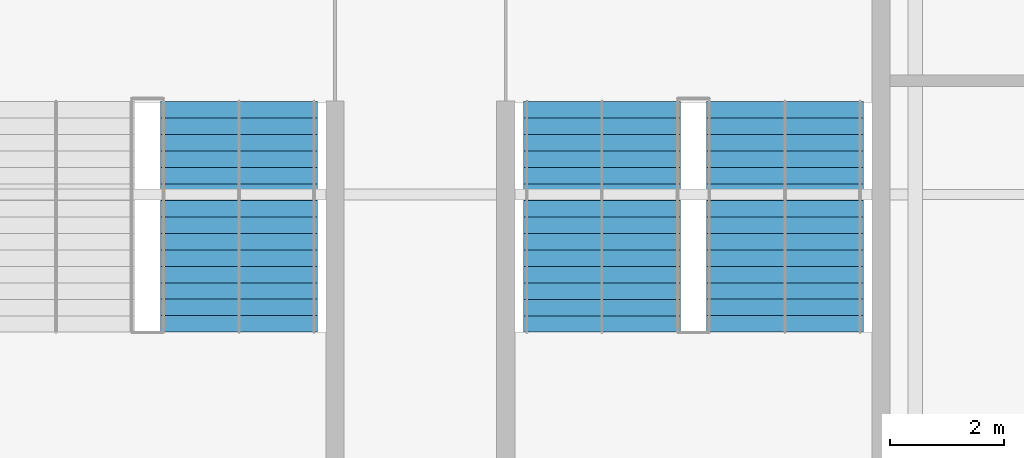
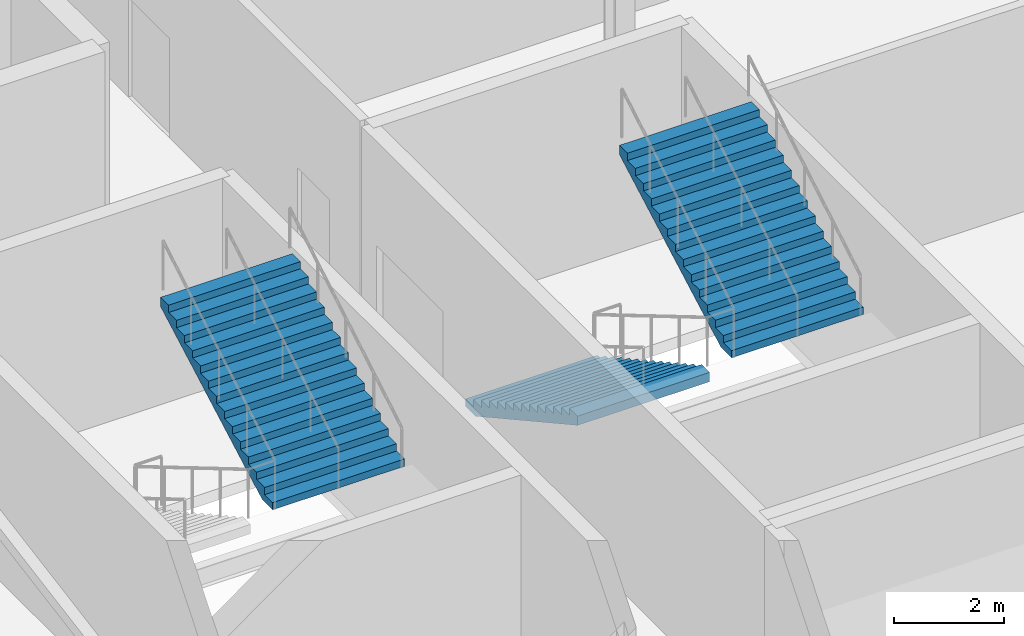
# One storey, part 119 of 136: 3 stair flights, 2 elements without a shape of their own.
"""IFC4 building model written with IfcOpenShell, lengths in metres."""

from ifc_helpers import new_model, si_unit, direction, frame, origin, place, context, subcontext, project, spatial, polygons, material, type_object, element, aggregate, save


model = new_model("IFC4")

# Units and contexts
model_context = context("Model", 3, precision=1e-05, world=origin(), true_north=direction((0.0, 1.0)))
body_context = subcontext(model_context, "Body", "Model", "MODEL_VIEW")
ifc_project = project(units=[si_unit("LENGTHUNIT", "METRE"), si_unit("AREAUNIT", "SQUARE_METRE"), si_unit("VOLUMEUNIT", "CUBIC_METRE"), si_unit("PLANEANGLEUNIT", "RADIAN"), si_unit("MASSUNIT", "GRAM", prefix="KILO")], contexts=[model_context])

# Site, building, storey
site_placement = place(None, origin())
site = spatial("IfcSite", under=ifc_project, at=site_placement, CompositionType="ELEMENT")
building_placement = place(site_placement, origin())
building = spatial("IfcBuilding", under=site, at=building_placement, Name="Kisiwana Market Hall", CompositionType="ELEMENT")
storey_placement = place(building_placement, frame((0.0, 0.0, 16.800048828125)))
storey = spatial("IfcBuildingStorey", under=building, at=storey_placement, Name="L03", CompositionType="ELEMENT", Elevation=16.800048828125)

# Stair, stair flight
ifc_material_1 = material(Name="Concrete C32/40", Category="concrete")
stair_type = type_object("IfcStairType", Name="ST-ESC-4800", PredefinedType="TWO_STRAIGHT_RUN_STAIR", material=ifc_material_1)
stair_1_placement = place(storey_placement, origin())
stair_1 = element("IfcStair", 1, at=stair_1_placement, inside=storey, type_object=stair_type, Name="Escape stair ST-W4-L03", PredefinedType="TWO_STRAIGHT_RUN_STAIR")
ifc_material_2 = material(Name="Concrete C32/40", Category="concrete")
stair_flight_type = type_object("IfcStairFlightType", Name="SF-ESC-4800", PredefinedType="STRAIGHT", material=ifc_material_2)
stair_flight_1_placement = place(storey_placement, frame((15.110107421875, 73.580078125, 2.39990234375), z_axis=(0.0, 0.0, 1.0), x_axis=(0.0, 1.0, 0.0)))
stair_flight_1 = element("IfcStairFlight", 2, at=stair_flight_1_placement, type_object=stair_flight_type, Name="ST-W4-L03 flight 2", NumberOfRisers=15, NumberOfTreads=14, PredefinedType="STRAIGHT", RiserHeight=0.16, TreadLength=0.29, context=body_context, shape_type="Tessellation", body=[
    polygons([(0.0, -1.380127, 0.0), (0.0, -0.690125, 0.0), (0.0, -0.000122, 0.0), (0.0, 0.68988, 0.0), (0.0, 1.379883, 0.0), (0.0, -1.380127, 0.159912), (0.0, -0.690125, 0.159912), (0.0, -0.000122, 0.159912), (0.0, 0.68988, 0.159912), (0.0, 1.379883, 0.159912), (0.290039, -1.380127, 0.159912), (0.290039, -0.690125, 0.159912), (0.290039, -0.000122, 0.159912), (0.290039, 0.68988, 0.159912), (0.290039, 1.379883, 0.159912), (0.290039, -1.380127, 0.320068), (0.290039, -0.690125, 0.320068), (0.290039, -0.000122, 0.320068), (0.290039, 0.68988, 0.320068), (0.290039, 1.379883, 0.320068), (0.580078, -1.380127, 0.320068), (0.580078, -0.690125, 0.320068), (0.580078, -0.000122, 0.320068), (0.580078, 0.68988, 0.320068), (0.580078, 1.379883, 0.320068), (0.580078, -1.380127, 0.47998), (0.580078, -0.690125, 0.47998), (0.580078, -0.000122, 0.47998), (0.580078, 0.68988, 0.47998), (0.580078, 1.379883, 0.47998), (0.870117, -1.380127, 0.47998), (0.870117, -0.690125, 0.47998), (0.870117, -0.000122, 0.47998), (0.870117, 0.68988, 0.47998), (0.870117, 1.379883, 0.47998), (0.870117, -1.380127, 0.639893), (0.870117, -0.690125, 0.639893), (0.870117, -0.000122, 0.639893), (0.870117, 0.68988, 0.639893), (0.870117, 1.379883, 0.639893), (1.159912, -1.380127, 0.639893), (1.159912, -0.690125, 0.639893), (1.159912, -0.000122, 0.639893), (1.159912, 0.68988, 0.639893), (1.159912, 1.379883, 0.639893), (1.159912, -1.380127, 0.800049), (1.159912, -0.690125, 0.800049), (1.159912, -0.000122, 0.800049), (1.159912, 0.68988, 0.800049), (1.159912, 1.379883, 0.800049), (1.449951, -1.380127, 0.800049), (1.449951, -0.690125, 0.800049), (1.449951, -0.000122, 0.800049), (1.449951, 0.68988, 0.800049), (1.449951, 1.379883, 0.800049), (1.449951, -1.380127, 0.959961), (1.449951, -0.690125, 0.959961), (1.449951, -0.000122, 0.959961), (1.449951, 0.68988, 0.959961), (1.449951, 1.379883, 0.959961), (1.73999, -1.380127, 0.959961), (1.73999, -0.690125, 0.959961), (1.73999, -0.000122, 0.959961), (1.73999, 0.68988, 0.959961), (1.73999, 1.379883, 0.959961), (1.73999, -1.380127, 1.120117), (1.73999, -0.690125, 1.120117), (1.73999, -0.000122, 1.120117), (1.73999, 0.68988, 1.120117), (1.73999, 1.379883, 1.120117), (2.030029, -1.380127, 1.120117), (2.030029, -0.690125, 1.120117), (2.030029, -0.000122, 1.120117), (2.030029, 0.68988, 1.120117), (2.030029, 1.379883, 1.120117), (2.030029, -1.380127, 1.280029), (2.030029, -0.690125, 1.280029), (2.030029, -0.000122, 1.280029), (2.030029, 0.68988, 1.280029), (2.030029, 1.379883, 1.280029), (2.320068, -1.380127, 1.280029), (2.320068, -0.690125, 1.280029), (2.320068, -0.000122, 1.280029), (2.320068, 0.68988, 1.280029), (2.320068, 1.379883, 1.280029), (2.320068, -1.380127, 1.439941), (2.320068, -0.690125, 1.439941), (2.320068, -0.000122, 1.439941), (2.320068, 0.68988, 1.439941), (2.320068, 1.379883, 1.439941), (2.610107, -1.380127, 1.439941), (2.610107, -0.690125, 1.439941), (2.610107, -0.000122, 1.439941), (2.610107, 0.68988, 1.439941), (2.610107, 1.379883, 1.439941), (2.610107, -1.380127, 1.600098), (2.610107, -0.690125, 1.600098), (2.610107, -0.000122, 1.600098), (2.610107, 0.68988, 1.600098), (2.610107, 1.379883, 1.600098), (2.899902, -1.380127, 1.600098), (2.899902, -0.690125, 1.600098), (2.899902, -0.000122, 1.600098), (2.899902, 0.68988, 1.600098), (2.899902, 1.379883, 1.600098), (2.899902, -1.380127, 1.76001), (2.899902, -0.690125, 1.76001), (2.899902, -0.000122, 1.76001), (2.899902, 0.68988, 1.76001), (2.899902, 1.379883, 1.76001), (3.189941, -1.380127, 1.76001), (3.189941, -0.690125, 1.76001), (3.189941, -0.000122, 1.76001), (3.189941, 0.68988, 1.76001), (3.189941, 1.379883, 1.76001), (3.189941, -1.380127, 1.919922), (3.189941, -0.690125, 1.919922), (3.189941, -0.000122, 1.919922), (3.189941, 0.68988, 1.919922), (3.189941, 1.379883, 1.919922), (3.47998, -1.380127, 1.919922), (3.47998, -0.690125, 1.919922), (3.47998, -0.000122, 1.919922), (3.47998, 0.68988, 1.919922), (3.47998, 1.379883, 1.919922), (3.47998, -1.380127, 2.080078), (3.47998, -0.690125, 2.080078), (3.47998, -0.000122, 2.080078), (3.47998, 0.68988, 2.080078), (3.47998, 1.379883, 2.080078), (3.77002, -1.380127, 2.080078), (3.77002, -0.690125, 2.080078), (3.77002, -0.000122, 2.080078), (3.77002, 0.68988, 2.080078), (3.77002, 1.379883, 2.080078), (3.77002, -1.380127, 2.23999), (3.77002, -0.690125, 2.23999), (3.77002, -0.000122, 2.23999), (3.77002, 0.68988, 2.23999), (3.77002, 1.379883, 2.23999), (4.060059, -1.380127, 2.23999), (4.060059, -0.690125, 2.23999), (4.060059, -0.000122, 2.23999), (4.060059, 0.68988, 2.23999), (4.060059, 1.379883, 2.23999), (4.060059, -1.380127, 2.034424), (4.060059, -0.690125, 2.034424), (4.060059, -0.000122, 2.034424), (4.060059, 0.68988, 2.034424), (4.060059, 1.379883, 2.034424), (0.372559, -1.380127, 0.0), (0.372559, -0.690125, 0.0), (0.372559, -0.000122, 0.0), (0.372559, 0.68988, 0.0), (0.372559, 1.379883, 0.0)], [[[1, 6, 7, 2]], [[2, 7, 8, 3]], [[3, 8, 9, 4]], [[4, 9, 10, 5]], [[6, 11, 12, 7]], [[7, 12, 13, 8]], [[8, 13, 14, 9]], [[9, 14, 15, 10]], [[11, 16, 17, 12]], [[12, 17, 18, 13]], [[13, 18, 19, 14]], [[14, 19, 20, 15]], [[16, 21, 22, 17]], [[17, 22, 23, 18]], [[18, 23, 24, 19]], [[19, 24, 25, 20]], [[21, 26, 27, 22]], [[22, 27, 28, 23]], [[23, 28, 29, 24]], [[24, 29, 30, 25]], [[26, 31, 32, 27]], [[27, 32, 33, 28]], [[28, 33, 34, 29]], [[29, 34, 35, 30]], [[31, 36, 37, 32]], [[32, 37, 38, 33]], [[33, 38, 39, 34]], [[34, 39, 40, 35]], [[36, 41, 42, 37]], [[37, 42, 43, 38]], [[38, 43, 44, 39]], [[39, 44, 45, 40]], [[41, 46, 47, 42]], [[42, 47, 48, 43]], [[43, 48, 49, 44]], [[44, 49, 50, 45]], [[46, 51, 52, 47]], [[47, 52, 53, 48]], [[48, 53, 54, 49]], [[49, 54, 55, 50]], [[51, 56, 57, 52]], [[52, 57, 58, 53]], [[53, 58, 59, 54]], [[54, 59, 60, 55]], [[56, 61, 62, 57]], [[57, 62, 63, 58]], [[58, 63, 64, 59]], [[59, 64, 65, 60]], [[61, 66, 67, 62]], [[62, 67, 68, 63]], [[63, 68, 69, 64]], [[64, 69, 70, 65]], [[66, 71, 72, 67]], [[67, 72, 73, 68]], [[68, 73, 74, 69]], [[69, 74, 75, 70]], [[71, 76, 77, 72]], [[72, 77, 78, 73]], [[73, 78, 79, 74]], [[74, 79, 80, 75]], [[76, 81, 82, 77]], [[77, 82, 83, 78]], [[78, 83, 84, 79]], [[79, 84, 85, 80]], [[81, 86, 87, 82]], [[82, 87, 88, 83]], [[83, 88, 89, 84]], [[84, 89, 90, 85]], [[86, 91, 92, 87]], [[87, 92, 93, 88]], [[88, 93, 94, 89]], [[89, 94, 95, 90]], [[91, 96, 97, 92]], [[92, 97, 98, 93]], [[93, 98, 99, 94]], [[94, 99, 100, 95]], [[96, 101, 102, 97]], [[97, 102, 103, 98]], [[98, 103, 104, 99]], [[99, 104, 105, 100]], [[101, 106, 107, 102]], [[102, 107, 108, 103]], [[103, 108, 109, 104]], [[104, 109, 110, 105]], [[106, 111, 112, 107]], [[107, 112, 113, 108]], [[108, 113, 114, 109]], [[109, 114, 115, 110]], [[111, 116, 117, 112]], [[112, 117, 118, 113]], [[113, 118, 119, 114]], [[114, 119, 120, 115]], [[116, 121, 122, 117]], [[117, 122, 123, 118]], [[118, 123, 124, 119]], [[119, 124, 125, 120]], [[121, 126, 127, 122]], [[122, 127, 128, 123]], [[123, 128, 129, 124]], [[124, 129, 130, 125]], [[126, 131, 132, 127]], [[127, 132, 133, 128]], [[128, 133, 134, 129]], [[129, 134, 135, 130]], [[131, 136, 137, 132]], [[132, 137, 138, 133]], [[133, 138, 139, 134]], [[134, 139, 140, 135]], [[136, 141, 142, 137]], [[137, 142, 143, 138]], [[138, 143, 144, 139]], [[139, 144, 145, 140]], [[141, 146, 147, 142]], [[142, 147, 148, 143]], [[143, 148, 149, 144]], [[144, 149, 150, 145]], [[146, 151, 152, 147]], [[147, 152, 153, 148]], [[148, 153, 154, 149]], [[149, 154, 155, 150]], [[151, 1, 2, 152]], [[152, 2, 3, 153]], [[153, 3, 4, 154]], [[154, 4, 5, 155]], [[151, 146, 141, 136, 131, 126, 121, 116, 111, 106, 101, 96, 91, 86, 81, 76, 71, 66, 61, 56, 51, 46, 41, 36, 31, 26, 21, 16, 11, 6, 1]], [[5, 10, 15, 20, 25, 30, 35, 40, 45, 50, 55, 60, 65, 70, 75, 80, 85, 90, 95, 100, 105, 110, 115, 120, 125, 130, 135, 140, 145, 150, 155]]], closed=True),
])
aggregate(stair_1, [stair_flight_1])

# Stair, stair flights
stair_2_placement = place(storey_placement, origin())
stair_2 = element("IfcStair", 3, at=stair_2_placement, inside=storey, type_object=stair_type, Name="Escape stair ST-W8-L03", PredefinedType="TWO_STRAIGHT_RUN_STAIR")
stair_flight_2_placement = place(storey_placement, frame((21.489990234375, 77.639892578125, 0.0), z_axis=(0.0, 0.0, 1.0), x_axis=(0.0, -1.0, 0.0)))
stair_flight_2 = element("IfcStairFlight", 4, at=stair_flight_2_placement, type_object=stair_flight_type, Name="ST-W8-L03 flight 1", NumberOfRisers=15, NumberOfTreads=14, PredefinedType="STRAIGHT", RiserHeight=0.16, TreadLength=0.29, context=body_context, shape_type="Tessellation", body=[
    polygons([(0.0, -1.380127, 0.0), (0.0, -0.690125, 0.0), (0.0, -0.000122, 0.0), (0.0, 0.68988, 0.0), (0.0, 1.379883, 0.0), (0.0, -1.380127, 0.159912), (0.0, -0.690125, 0.159912), (0.0, -0.000122, 0.159912), (0.0, 0.68988, 0.159912), (0.0, 1.379883, 0.159912), (0.290039, -1.380127, 0.159912), (0.290039, -0.690125, 0.159912), (0.290039, -0.000122, 0.159912), (0.290039, 0.68988, 0.159912), (0.290039, 1.379883, 0.159912), (0.290039, -1.380127, 0.320068), (0.290039, -0.690125, 0.320068), (0.290039, -0.000122, 0.320068), (0.290039, 0.68988, 0.320068), (0.290039, 1.379883, 0.320068), (0.580078, -1.380127, 0.320068), (0.580078, -0.690125, 0.320068), (0.580078, -0.000122, 0.320068), (0.580078, 0.68988, 0.320068), (0.580078, 1.379883, 0.320068), (0.580078, -1.380127, 0.47998), (0.580078, -0.690125, 0.47998), (0.580078, -0.000122, 0.47998), (0.580078, 0.68988, 0.47998), (0.580078, 1.379883, 0.47998), (0.870117, -1.380127, 0.47998), (0.870117, -0.690125, 0.47998), (0.870117, -0.000122, 0.47998), (0.870117, 0.68988, 0.47998), (0.870117, 1.379883, 0.47998), (0.870117, -1.380127, 0.639893), (0.870117, -0.690125, 0.639893), (0.870117, -0.000122, 0.639893), (0.870117, 0.68988, 0.639893), (0.870117, 1.379883, 0.639893), (1.159912, -1.380127, 0.639893), (1.159912, -0.690125, 0.639893), (1.159912, -0.000122, 0.639893), (1.159912, 0.68988, 0.639893), (1.159912, 1.379883, 0.639893), (1.159912, -1.380127, 0.800049), (1.159912, -0.690125, 0.800049), (1.159912, -0.000122, 0.800049), (1.159912, 0.68988, 0.800049), (1.159912, 1.379883, 0.800049), (1.449951, -1.380127, 0.800049), (1.449951, -0.690125, 0.800049), (1.449951, -0.000122, 0.800049), (1.449951, 0.68988, 0.800049), (1.449951, 1.379883, 0.800049), (1.449951, -1.380127, 0.959961), (1.449951, -0.690125, 0.959961), (1.449951, -0.000122, 0.959961), (1.449951, 0.68988, 0.959961), (1.449951, 1.379883, 0.959961), (1.73999, -1.380127, 0.959961), (1.73999, -0.690125, 0.959961), (1.73999, -0.000122, 0.959961), (1.73999, 0.68988, 0.959961), (1.73999, 1.379883, 0.959961), (1.73999, -1.380127, 1.120117), (1.73999, -0.690125, 1.120117), (1.73999, -0.000122, 1.120117), (1.73999, 0.68988, 1.120117), (1.73999, 1.379883, 1.120117), (2.030029, -1.380127, 1.120117), (2.030029, -0.690125, 1.120117), (2.030029, -0.000122, 1.120117), (2.030029, 0.68988, 1.120117), (2.030029, 1.379883, 1.120117), (2.030029, -1.380127, 1.280029), (2.030029, -0.690125, 1.280029), (2.030029, -0.000122, 1.280029), (2.030029, 0.68988, 1.280029), (2.030029, 1.379883, 1.280029), (2.320068, -1.380127, 1.280029), (2.320068, -0.690125, 1.280029), (2.320068, -0.000122, 1.280029), (2.320068, 0.68988, 1.280029), (2.320068, 1.379883, 1.280029), (2.320068, -1.380127, 1.439941), (2.320068, -0.690125, 1.439941), (2.320068, -0.000122, 1.439941), (2.320068, 0.68988, 1.439941), (2.320068, 1.379883, 1.439941), (2.610107, -1.380127, 1.439941), (2.610107, -0.690125, 1.439941), (2.610107, -0.000122, 1.439941), (2.610107, 0.68988, 1.439941), (2.610107, 1.379883, 1.439941), (2.610107, -1.380127, 1.600098), (2.610107, -0.690125, 1.600098), (2.610107, -0.000122, 1.600098), (2.610107, 0.68988, 1.600098), (2.610107, 1.379883, 1.600098), (2.899902, -1.380127, 1.600098), (2.899902, -0.690125, 1.600098), (2.899902, -0.000122, 1.600098), (2.899902, 0.68988, 1.600098), (2.899902, 1.379883, 1.600098), (2.899902, -1.380127, 1.76001), (2.899902, -0.690125, 1.76001), (2.899902, -0.000122, 1.76001), (2.899902, 0.68988, 1.76001), (2.899902, 1.379883, 1.76001), (3.189941, -1.380127, 1.76001), (3.189941, -0.690125, 1.76001), (3.189941, -0.000122, 1.76001), (3.189941, 0.68988, 1.76001), (3.189941, 1.379883, 1.76001), (3.189941, -1.380127, 1.919922), (3.189941, -0.690125, 1.919922), (3.189941, -0.000122, 1.919922), (3.189941, 0.68988, 1.919922), (3.189941, 1.379883, 1.919922), (3.47998, -1.380127, 1.919922), (3.47998, -0.690125, 1.919922), (3.47998, -0.000122, 1.919922), (3.47998, 0.68988, 1.919922), (3.47998, 1.379883, 1.919922), (3.47998, -1.380127, 2.080078), (3.47998, -0.690125, 2.080078), (3.47998, -0.000122, 2.080078), (3.47998, 0.68988, 2.080078), (3.47998, 1.379883, 2.080078), (3.77002, -1.380127, 2.080078), (3.77002, -0.690125, 2.080078), (3.77002, -0.000122, 2.080078), (3.77002, 0.68988, 2.080078), (3.77002, 1.379883, 2.080078), (3.77002, -1.380127, 2.23999), (3.77002, -0.690125, 2.23999), (3.77002, -0.000122, 2.23999), (3.77002, 0.68988, 2.23999), (3.77002, 1.379883, 2.23999), (4.060059, -1.380127, 2.23999), (4.060059, -0.690125, 2.23999), (4.060059, -0.000122, 2.23999), (4.060059, 0.68988, 2.23999), (4.060059, 1.379883, 2.23999), (4.060059, -1.380127, 2.034424), (4.060059, -0.690125, 2.034424), (4.060059, -0.000122, 2.034424), (4.060059, 0.68988, 2.034424), (4.060059, 1.379883, 2.034424), (0.372559, -1.380127, 0.0), (0.372559, -0.690125, 0.0), (0.372559, -0.000122, 0.0), (0.372559, 0.68988, 0.0), (0.372559, 1.379883, 0.0)], [[[1, 6, 7, 2]], [[2, 7, 8, 3]], [[3, 8, 9, 4]], [[4, 9, 10, 5]], [[6, 11, 12, 7]], [[7, 12, 13, 8]], [[8, 13, 14, 9]], [[9, 14, 15, 10]], [[11, 16, 17, 12]], [[12, 17, 18, 13]], [[13, 18, 19, 14]], [[14, 19, 20, 15]], [[16, 21, 22, 17]], [[17, 22, 23, 18]], [[18, 23, 24, 19]], [[19, 24, 25, 20]], [[21, 26, 27, 22]], [[22, 27, 28, 23]], [[23, 28, 29, 24]], [[24, 29, 30, 25]], [[26, 31, 32, 27]], [[27, 32, 33, 28]], [[28, 33, 34, 29]], [[29, 34, 35, 30]], [[31, 36, 37, 32]], [[32, 37, 38, 33]], [[33, 38, 39, 34]], [[34, 39, 40, 35]], [[36, 41, 42, 37]], [[37, 42, 43, 38]], [[38, 43, 44, 39]], [[39, 44, 45, 40]], [[41, 46, 47, 42]], [[42, 47, 48, 43]], [[43, 48, 49, 44]], [[44, 49, 50, 45]], [[46, 51, 52, 47]], [[47, 52, 53, 48]], [[48, 53, 54, 49]], [[49, 54, 55, 50]], [[51, 56, 57, 52]], [[52, 57, 58, 53]], [[53, 58, 59, 54]], [[54, 59, 60, 55]], [[56, 61, 62, 57]], [[57, 62, 63, 58]], [[58, 63, 64, 59]], [[59, 64, 65, 60]], [[61, 66, 67, 62]], [[62, 67, 68, 63]], [[63, 68, 69, 64]], [[64, 69, 70, 65]], [[66, 71, 72, 67]], [[67, 72, 73, 68]], [[68, 73, 74, 69]], [[69, 74, 75, 70]], [[71, 76, 77, 72]], [[72, 77, 78, 73]], [[73, 78, 79, 74]], [[74, 79, 80, 75]], [[76, 81, 82, 77]], [[77, 82, 83, 78]], [[78, 83, 84, 79]], [[79, 84, 85, 80]], [[81, 86, 87, 82]], [[82, 87, 88, 83]], [[83, 88, 89, 84]], [[84, 89, 90, 85]], [[86, 91, 92, 87]], [[87, 92, 93, 88]], [[88, 93, 94, 89]], [[89, 94, 95, 90]], [[91, 96, 97, 92]], [[92, 97, 98, 93]], [[93, 98, 99, 94]], [[94, 99, 100, 95]], [[96, 101, 102, 97]], [[97, 102, 103, 98]], [[98, 103, 104, 99]], [[99, 104, 105, 100]], [[101, 106, 107, 102]], [[102, 107, 108, 103]], [[103, 108, 109, 104]], [[104, 109, 110, 105]], [[106, 111, 112, 107]], [[107, 112, 113, 108]], [[108, 113, 114, 109]], [[109, 114, 115, 110]], [[111, 116, 117, 112]], [[112, 117, 118, 113]], [[113, 118, 119, 114]], [[114, 119, 120, 115]], [[116, 121, 122, 117]], [[117, 122, 123, 118]], [[118, 123, 124, 119]], [[119, 124, 125, 120]], [[121, 126, 127, 122]], [[122, 127, 128, 123]], [[123, 128, 129, 124]], [[124, 129, 130, 125]], [[126, 131, 132, 127]], [[127, 132, 133, 128]], [[128, 133, 134, 129]], [[129, 134, 135, 130]], [[131, 136, 137, 132]], [[132, 137, 138, 133]], [[133, 138, 139, 134]], [[134, 139, 140, 135]], [[136, 141, 142, 137]], [[137, 142, 143, 138]], [[138, 143, 144, 139]], [[139, 144, 145, 140]], [[141, 146, 147, 142]], [[142, 147, 148, 143]], [[143, 148, 149, 144]], [[144, 149, 150, 145]], [[146, 151, 152, 147]], [[147, 152, 153, 148]], [[148, 153, 154, 149]], [[149, 154, 155, 150]], [[151, 1, 2, 152]], [[152, 2, 3, 153]], [[153, 3, 4, 154]], [[154, 4, 5, 155]], [[151, 146, 141, 136, 131, 126, 121, 116, 111, 106, 101, 96, 91, 86, 81, 76, 71, 66, 61, 56, 51, 46, 41, 36, 31, 26, 21, 16, 11, 6, 1]], [[5, 10, 15, 20, 25, 30, 35, 40, 45, 50, 55, 60, 65, 70, 75, 80, 85, 90, 95, 100, 105, 110, 115, 120, 125, 130, 135, 140, 145, 150, 155]]], closed=True),
])
stair_flight_3_placement = place(storey_placement, frame((24.7099609375, 73.580078125, 2.39990234375), z_axis=(0.0, 0.0, 1.0), x_axis=(0.0, 1.0, 0.0)))
stair_flight_3 = element("IfcStairFlight", 5, at=stair_flight_3_placement, type_object=stair_flight_type, Name="ST-W8-L03 flight 2", NumberOfRisers=15, NumberOfTreads=14, PredefinedType="STRAIGHT", RiserHeight=0.16, TreadLength=0.29, context=body_context, shape_type="Tessellation", body=[
    polygons([(0.0, -1.380127, 0.0), (0.0, -0.690125, 0.0), (0.0, -0.000122, 0.0), (0.0, 0.68988, 0.0), (0.0, 1.379883, 0.0), (0.0, -1.380127, 0.159912), (0.0, -0.690125, 0.159912), (0.0, -0.000122, 0.159912), (0.0, 0.68988, 0.159912), (0.0, 1.379883, 0.159912), (0.290039, -1.380127, 0.159912), (0.290039, -0.690125, 0.159912), (0.290039, -0.000122, 0.159912), (0.290039, 0.68988, 0.159912), (0.290039, 1.379883, 0.159912), (0.290039, -1.380127, 0.320068), (0.290039, -0.690125, 0.320068), (0.290039, -0.000122, 0.320068), (0.290039, 0.68988, 0.320068), (0.290039, 1.379883, 0.320068), (0.580078, -1.380127, 0.320068), (0.580078, -0.690125, 0.320068), (0.580078, -0.000122, 0.320068), (0.580078, 0.68988, 0.320068), (0.580078, 1.379883, 0.320068), (0.580078, -1.380127, 0.47998), (0.580078, -0.690125, 0.47998), (0.580078, -0.000122, 0.47998), (0.580078, 0.68988, 0.47998), (0.580078, 1.379883, 0.47998), (0.870117, -1.380127, 0.47998), (0.870117, -0.690125, 0.47998), (0.870117, -0.000122, 0.47998), (0.870117, 0.68988, 0.47998), (0.870117, 1.379883, 0.47998), (0.870117, -1.380127, 0.639893), (0.870117, -0.690125, 0.639893), (0.870117, -0.000122, 0.639893), (0.870117, 0.68988, 0.639893), (0.870117, 1.379883, 0.639893), (1.159912, -1.380127, 0.639893), (1.159912, -0.690125, 0.639893), (1.159912, -0.000122, 0.639893), (1.159912, 0.68988, 0.639893), (1.159912, 1.379883, 0.639893), (1.159912, -1.380127, 0.800049), (1.159912, -0.690125, 0.800049), (1.159912, -0.000122, 0.800049), (1.159912, 0.68988, 0.800049), (1.159912, 1.379883, 0.800049), (1.449951, -1.380127, 0.800049), (1.449951, -0.690125, 0.800049), (1.449951, -0.000122, 0.800049), (1.449951, 0.68988, 0.800049), (1.449951, 1.379883, 0.800049), (1.449951, -1.380127, 0.959961), (1.449951, -0.690125, 0.959961), (1.449951, -0.000122, 0.959961), (1.449951, 0.68988, 0.959961), (1.449951, 1.379883, 0.959961), (1.73999, -1.380127, 0.959961), (1.73999, -0.690125, 0.959961), (1.73999, -0.000122, 0.959961), (1.73999, 0.68988, 0.959961), (1.73999, 1.379883, 0.959961), (1.73999, -1.380127, 1.120117), (1.73999, -0.690125, 1.120117), (1.73999, -0.000122, 1.120117), (1.73999, 0.68988, 1.120117), (1.73999, 1.379883, 1.120117), (2.030029, -1.380127, 1.120117), (2.030029, -0.690125, 1.120117), (2.030029, -0.000122, 1.120117), (2.030029, 0.68988, 1.120117), (2.030029, 1.379883, 1.120117), (2.030029, -1.380127, 1.280029), (2.030029, -0.690125, 1.280029), (2.030029, -0.000122, 1.280029), (2.030029, 0.68988, 1.280029), (2.030029, 1.379883, 1.280029), (2.320068, -1.380127, 1.280029), (2.320068, -0.690125, 1.280029), (2.320068, -0.000122, 1.280029), (2.320068, 0.68988, 1.280029), (2.320068, 1.379883, 1.280029), (2.320068, -1.380127, 1.439941), (2.320068, -0.690125, 1.439941), (2.320068, -0.000122, 1.439941), (2.320068, 0.68988, 1.439941), (2.320068, 1.379883, 1.439941), (2.610107, -1.380127, 1.439941), (2.610107, -0.690125, 1.439941), (2.610107, -0.000122, 1.439941), (2.610107, 0.68988, 1.439941), (2.610107, 1.379883, 1.439941), (2.610107, -1.380127, 1.600098), (2.610107, -0.690125, 1.600098), (2.610107, -0.000122, 1.600098), (2.610107, 0.68988, 1.600098), (2.610107, 1.379883, 1.600098), (2.899902, -1.380127, 1.600098), (2.899902, -0.690125, 1.600098), (2.899902, -0.000122, 1.600098), (2.899902, 0.68988, 1.600098), (2.899902, 1.379883, 1.600098), (2.899902, -1.380127, 1.76001), (2.899902, -0.690125, 1.76001), (2.899902, -0.000122, 1.76001), (2.899902, 0.68988, 1.76001), (2.899902, 1.379883, 1.76001), (3.189941, -1.380127, 1.76001), (3.189941, -0.690125, 1.76001), (3.189941, -0.000122, 1.76001), (3.189941, 0.68988, 1.76001), (3.189941, 1.379883, 1.76001), (3.189941, -1.380127, 1.919922), (3.189941, -0.690125, 1.919922), (3.189941, -0.000122, 1.919922), (3.189941, 0.68988, 1.919922), (3.189941, 1.379883, 1.919922), (3.47998, -1.380127, 1.919922), (3.47998, -0.690125, 1.919922), (3.47998, -0.000122, 1.919922), (3.47998, 0.68988, 1.919922), (3.47998, 1.379883, 1.919922), (3.47998, -1.380127, 2.080078), (3.47998, -0.690125, 2.080078), (3.47998, -0.000122, 2.080078), (3.47998, 0.68988, 2.080078), (3.47998, 1.379883, 2.080078), (3.77002, -1.380127, 2.080078), (3.77002, -0.690125, 2.080078), (3.77002, -0.000122, 2.080078), (3.77002, 0.68988, 2.080078), (3.77002, 1.379883, 2.080078), (3.77002, -1.380127, 2.23999), (3.77002, -0.690125, 2.23999), (3.77002, -0.000122, 2.23999), (3.77002, 0.68988, 2.23999), (3.77002, 1.379883, 2.23999), (4.060059, -1.380127, 2.23999), (4.060059, -0.690125, 2.23999), (4.060059, -0.000122, 2.23999), (4.060059, 0.68988, 2.23999), (4.060059, 1.379883, 2.23999), (4.060059, -1.380127, 2.034424), (4.060059, -0.690125, 2.034424), (4.060059, -0.000122, 2.034424), (4.060059, 0.68988, 2.034424), (4.060059, 1.379883, 2.034424), (0.372559, -1.380127, 0.0), (0.372559, -0.690125, 0.0), (0.372559, -0.000122, 0.0), (0.372559, 0.68988, 0.0), (0.372559, 1.379883, 0.0)], [[[1, 6, 7, 2]], [[2, 7, 8, 3]], [[3, 8, 9, 4]], [[4, 9, 10, 5]], [[6, 11, 12, 7]], [[7, 12, 13, 8]], [[8, 13, 14, 9]], [[9, 14, 15, 10]], [[11, 16, 17, 12]], [[12, 17, 18, 13]], [[13, 18, 19, 14]], [[14, 19, 20, 15]], [[16, 21, 22, 17]], [[17, 22, 23, 18]], [[18, 23, 24, 19]], [[19, 24, 25, 20]], [[21, 26, 27, 22]], [[22, 27, 28, 23]], [[23, 28, 29, 24]], [[24, 29, 30, 25]], [[26, 31, 32, 27]], [[27, 32, 33, 28]], [[28, 33, 34, 29]], [[29, 34, 35, 30]], [[31, 36, 37, 32]], [[32, 37, 38, 33]], [[33, 38, 39, 34]], [[34, 39, 40, 35]], [[36, 41, 42, 37]], [[37, 42, 43, 38]], [[38, 43, 44, 39]], [[39, 44, 45, 40]], [[41, 46, 47, 42]], [[42, 47, 48, 43]], [[43, 48, 49, 44]], [[44, 49, 50, 45]], [[46, 51, 52, 47]], [[47, 52, 53, 48]], [[48, 53, 54, 49]], [[49, 54, 55, 50]], [[51, 56, 57, 52]], [[52, 57, 58, 53]], [[53, 58, 59, 54]], [[54, 59, 60, 55]], [[56, 61, 62, 57]], [[57, 62, 63, 58]], [[58, 63, 64, 59]], [[59, 64, 65, 60]], [[61, 66, 67, 62]], [[62, 67, 68, 63]], [[63, 68, 69, 64]], [[64, 69, 70, 65]], [[66, 71, 72, 67]], [[67, 72, 73, 68]], [[68, 73, 74, 69]], [[69, 74, 75, 70]], [[71, 76, 77, 72]], [[72, 77, 78, 73]], [[73, 78, 79, 74]], [[74, 79, 80, 75]], [[76, 81, 82, 77]], [[77, 82, 83, 78]], [[78, 83, 84, 79]], [[79, 84, 85, 80]], [[81, 86, 87, 82]], [[82, 87, 88, 83]], [[83, 88, 89, 84]], [[84, 89, 90, 85]], [[86, 91, 92, 87]], [[87, 92, 93, 88]], [[88, 93, 94, 89]], [[89, 94, 95, 90]], [[91, 96, 97, 92]], [[92, 97, 98, 93]], [[93, 98, 99, 94]], [[94, 99, 100, 95]], [[96, 101, 102, 97]], [[97, 102, 103, 98]], [[98, 103, 104, 99]], [[99, 104, 105, 100]], [[101, 106, 107, 102]], [[102, 107, 108, 103]], [[103, 108, 109, 104]], [[104, 109, 110, 105]], [[106, 111, 112, 107]], [[107, 112, 113, 108]], [[108, 113, 114, 109]], [[109, 114, 115, 110]], [[111, 116, 117, 112]], [[112, 117, 118, 113]], [[113, 118, 119, 114]], [[114, 119, 120, 115]], [[116, 121, 122, 117]], [[117, 122, 123, 118]], [[118, 123, 124, 119]], [[119, 124, 125, 120]], [[121, 126, 127, 122]], [[122, 127, 128, 123]], [[123, 128, 129, 124]], [[124, 129, 130, 125]], [[126, 131, 132, 127]], [[127, 132, 133, 128]], [[128, 133, 134, 129]], [[129, 134, 135, 130]], [[131, 136, 137, 132]], [[132, 137, 138, 133]], [[133, 138, 139, 134]], [[134, 139, 140, 135]], [[136, 141, 142, 137]], [[137, 142, 143, 138]], [[138, 143, 144, 139]], [[139, 144, 145, 140]], [[141, 146, 147, 142]], [[142, 147, 148, 143]], [[143, 148, 149, 144]], [[144, 149, 150, 145]], [[146, 151, 152, 147]], [[147, 152, 153, 148]], [[148, 153, 154, 149]], [[149, 154, 155, 150]], [[151, 1, 2, 152]], [[152, 2, 3, 153]], [[153, 3, 4, 154]], [[154, 4, 5, 155]], [[151, 146, 141, 136, 131, 126, 121, 116, 111, 106, 101, 96, 91, 86, 81, 76, 71, 66, 61, 56, 51, 46, 41, 36, 31, 26, 21, 16, 11, 6, 1]], [[5, 10, 15, 20, 25, 30, 35, 40, 45, 50, 55, 60, 65, 70, 75, 80, 85, 90, 95, 100, 105, 110, 115, 120, 125, 130, 135, 140, 145, 150, 155]]], closed=True),
])
aggregate(stair_2, [stair_flight_2, stair_flight_3])

save(model, "model.ifc")
